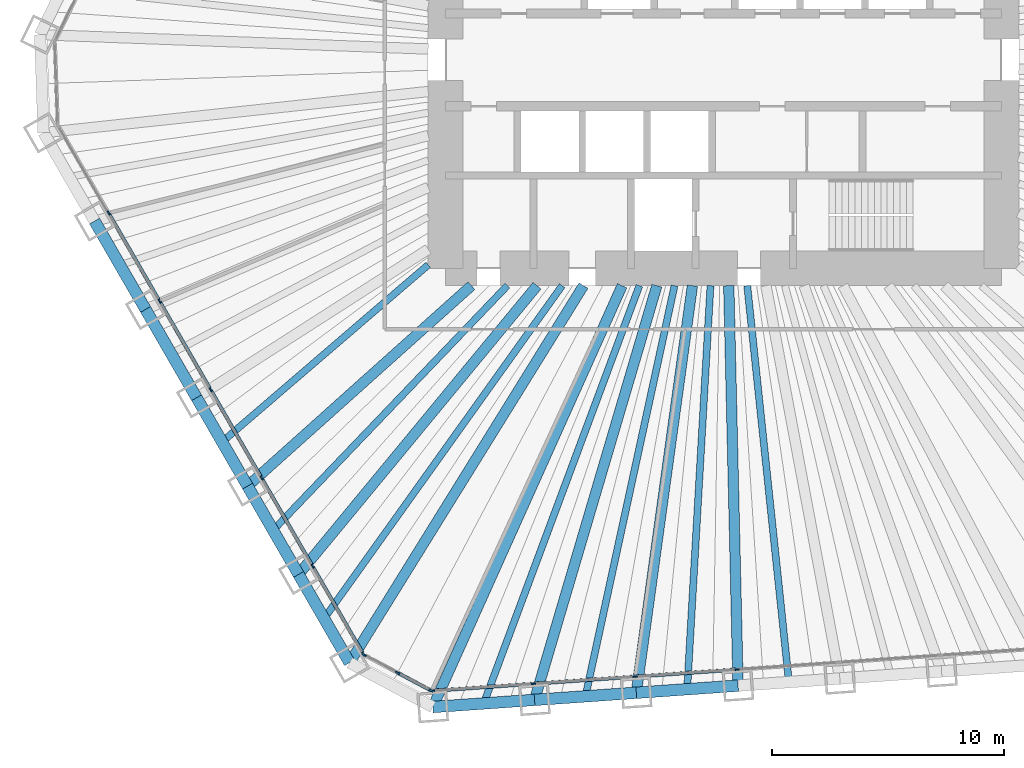
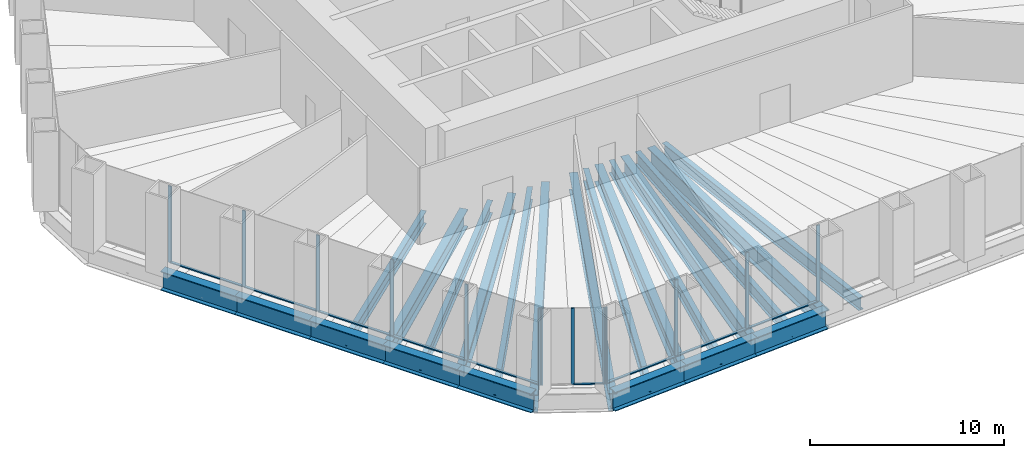
# One storey, part 2 of 13: 22 beams, 22 members, 3 elements without a shape of their own.
"""IFC4 building model written with IfcOpenShell, lengths in metres."""

from ifc_helpers import new_model, si_unit, direction, frame, origin, origin_2d, place, context, subcontext, project, spatial, rectangle, i_section, extrude, material, material_profile, profile_set, type_object, element, aggregate, save


model = new_model("IFC4")

# Units and contexts
model_context = context("Model", 3, precision=1e-05, world=origin(), true_north=direction((0.0, 1.0)))
body_context = subcontext(model_context, "Body", "Model", "MODEL_VIEW")
ifc_project = project(units=[si_unit("LENGTHUNIT", "METRE"), si_unit("AREAUNIT", "SQUARE_METRE"), si_unit("VOLUMEUNIT", "CUBIC_METRE"), si_unit("PLANEANGLEUNIT", "RADIAN"), si_unit("MASSUNIT", "GRAM", prefix="KILO")], contexts=[model_context])

# Site, building, storey
site_placement = place(None, origin())
site = spatial("IfcSite", under=ifc_project, at=site_placement, CompositionType="ELEMENT")
building_placement = place(site_placement, origin())
building = spatial("IfcBuilding", under=site, at=building_placement, Name="Qingtian Harvest Tower", CompositionType="ELEMENT")
storey_placement = place(building_placement, frame((0.0, 0.0, 47.0)))
storey = spatial("IfcBuildingStorey", under=building, at=storey_placement, Name="L09", CompositionType="ELEMENT", Elevation=47.0)

# Beams
ifc_material_1 = material(Name="Steel SM570MC", Category="steel")
ifc_material_profile_1 = material_profile(ifc_material_1, i_section(OverallWidth=0.449951171875, OverallDepth=1.10009765625, WebThickness=0.02197265625, FlangeThickness=0.044921875, at=origin_2d()), Name="H1100x450x22x45")
ifc_profile_set_1 = profile_set([ifc_material_profile_1], Name="Steel SM570MC")
beam_type_1 = type_object("IfcBeamType", Name="Corner floor beam FB8 H1100x450x22x45", PredefinedType="BEAM", material=ifc_profile_set_1)
beam_1_placement = place(storey_placement, frame((-12.552734375, -27.943603515625, -0.75), z_axis=(0.409769605538, 0.912189054077, 0.0), x_axis=(-0.912189054077, 0.409769605538, 0.0)))
element("IfcBeam", 1, at=beam_1_placement, inside=storey, type_object=beam_type_1, Name="Floor beam FB8 S6", PredefinedType="BEAM", context=body_context, shape_type="SweptSolid", body=[
    extrude(i_section(OverallWidth=0.449951171875, OverallDepth=1.10009765625, WebThickness=0.02197265625, FlangeThickness=0.044921875, at=origin_2d()), origin(), (0.0, 0.0, 1.0), 19.945068359375),
])
beam_2_placement = place(storey_placement, frame((-16.14697265625, -26.03271484375, -0.75), z_axis=(0.5270935495, 0.849807266429, 0.0), x_axis=(-0.849807266429, 0.5270935495, 0.0)))
element("IfcBeam", 2, at=beam_2_placement, inside=storey, type_object=beam_type_1, Name="Floor beam FB8 SW0", PredefinedType="BEAM", context=body_context, shape_type="SweptSolid", body=[
    extrude(i_section(OverallWidth=0.449951171875, OverallDepth=1.10009765625, WebThickness=0.02197265625, FlangeThickness=0.044921875, at=origin_2d()), origin(), (0.0, 0.0, 1.0), 19.160400390625),
])
ifc_material_2 = material(Name="Steel SM570MC", Category="steel")
ifc_material_profile_2 = material_profile(ifc_material_2, i_section(OverallWidth=0.449951171875, OverallDepth=1.10009765625, WebThickness=0.02197265625, FlangeThickness=0.044921875, at=origin_2d()), Name="H1100x450x22x45")
ifc_profile_set_2 = profile_set([ifc_material_profile_2], Name="Steel SM570MC")
beam_type_2 = type_object("IfcBeamType", Name="Floor beam FB1 H1100x450x22x45", PredefinedType="BEAM", material=ifc_profile_set_2)
beam_3_placement = place(storey_placement, frame((0.62890625, -27.02197265625, -0.75), z_axis=(-0.023274161941, 0.999729120005, 0.0), x_axis=(-0.999729120005, -0.023274161941, 0.0)))
element("IfcBeam", 3, at=beam_3_placement, inside=storey, type_object=beam_type_2, Name="Floor beam FB1 S3", PredefinedType="BEAM", context=body_context, shape_type="SweptSolid", body=[
    extrude(i_section(OverallWidth=0.449951171875, OverallDepth=1.10009765625, WebThickness=0.02197265625, FlangeThickness=0.044921875, at=origin_2d()), origin(), (0.0, 0.0, 1.0), 17.276611328125),
])
beam_4_placement = place(storey_placement, frame((-3.76513671875, -27.3291015625, -0.75), z_axis=(0.136480966577, 0.990642693287, 0.0), x_axis=(-0.990642693287, 0.136480966577, 0.0)))
element("IfcBeam", 4, at=beam_4_placement, inside=storey, type_object=beam_type_2, Name="Floor beam FB1 S4", PredefinedType="BEAM", context=body_context, shape_type="SweptSolid", body=[
    extrude(i_section(OverallWidth=0.449951171875, OverallDepth=1.10009765625, WebThickness=0.02197265625, FlangeThickness=0.044921875, at=origin_2d()), origin(), (0.0, 0.0, 1.0), 17.7451171875),
])
beam_5_placement = place(storey_placement, frame((-8.158935546875, -27.636474609375, -0.75), z_axis=(0.283142824758, 0.95907775534, 0.0), x_axis=(-0.95907775534, 0.283142824758, 0.0)))
element("IfcBeam", 5, at=beam_5_placement, inside=storey, type_object=beam_type_2, Name="Floor beam FB1 S5", PredefinedType="BEAM", context=body_context, shape_type="SweptSolid", body=[
    extrude(i_section(OverallWidth=0.449951171875, OverallDepth=1.10009765625, WebThickness=0.02197265625, FlangeThickness=0.044921875, at=origin_2d()), origin(), (0.0, 0.0, 1.0), 18.649658203125),
])
beam_6_placement = place(storey_placement, frame((-18.349365234375, -22.21826171875, -0.75), z_axis=(0.636780387972, 0.771045224026, 0.0), x_axis=(-0.771045224026, 0.636780387972, 0.0)))
element("IfcBeam", 6, at=beam_6_placement, inside=storey, type_object=beam_type_2, Name="Floor beam FB1 SW1", PredefinedType="BEAM", context=body_context, shape_type="SweptSolid", body=[
    extrude(i_section(OverallWidth=0.449951171875, OverallDepth=1.10009765625, WebThickness=0.02197265625, FlangeThickness=0.044921875, at=origin_2d()), origin(), (0.0, 0.0, 1.0), 16.170654296875),
])
beam_7_placement = place(storey_placement, frame((-20.551513671875, -18.403564453125, -0.75), z_axis=(0.744965104975, 0.667103434536, 0.0), x_axis=(-0.667103434536, 0.744965104975, 0.0)))
element("IfcBeam", 7, at=beam_7_placement, inside=storey, type_object=beam_type_2, Name="Floor beam FB1 SW2", PredefinedType="BEAM", context=body_context, shape_type="SweptSolid", body=[
    extrude(i_section(OverallWidth=0.449951171875, OverallDepth=1.10009765625, WebThickness=0.02197265625, FlangeThickness=0.044921875, at=origin_2d()), origin(), (0.0, 0.0, 1.0), 12.971923828125),
])
ifc_material_3 = material(Name="Steel SN490B", Category="steel")
ifc_material_profile_3 = material_profile(ifc_material_3, i_section(OverallWidth=0.300048828125, OverallDepth=0.800048828125, WebThickness=0.013916015625, FlangeThickness=0.02587890625, at=origin_2d()), Name="H800x300x14x26")
ifc_profile_set_3 = profile_set([ifc_material_profile_3], Name="Steel SN490B")
beam_type_3 = type_object("IfcBeamType", Name="Floor joist J1 H800x300x14x26", PredefinedType="JOIST", material=ifc_profile_set_3)
beam_8_placement = place(storey_placement, frame((2.82568359375, -26.868408203125, -0.60009765625), z_axis=(-0.104590278152, 0.99451539642, 0.0), x_axis=(-0.99451539642, -0.104590278152, 0.0)))
element("IfcBeam", 8, at=beam_8_placement, inside=storey, type_object=beam_type_3, Name="Floor joist J1 S2", PredefinedType="JOIST", context=body_context, shape_type="SweptSolid", body=[
    extrude(i_section(OverallWidth=0.300048828125, OverallDepth=0.800048828125, WebThickness=0.013916015625, FlangeThickness=0.02587890625, at=origin_2d()), origin(), (0.0, 0.0, 1.0), 17.212890625),
])
beam_9_placement = place(storey_placement, frame((-1.568115234375, -27.175537109375, -0.60009765625), z_axis=(0.057613424947, 0.998338967118, 0.0), x_axis=(-0.998338967118, 0.057613424947, 0.0)))
element("IfcBeam", 9, at=beam_9_placement, inside=storey, type_object=beam_type_3, Name="Floor joist J1 S3", PredefinedType="JOIST", context=body_context, shape_type="SweptSolid", body=[
    extrude(i_section(OverallWidth=0.300048828125, OverallDepth=0.800048828125, WebThickness=0.013916015625, FlangeThickness=0.02587890625, at=origin_2d()), origin(), (0.0, 0.0, 1.0), 17.45458984375),
])
beam_10_placement = place(storey_placement, frame((-5.9619140625, -27.48291015625, -0.60009765625), z_axis=(0.211992805661, 0.977271226604, 0.0), x_axis=(-0.977271226604, 0.211992805661, 0.0)))
element("IfcBeam", 10, at=beam_10_placement, inside=storey, type_object=beam_type_3, Name="Floor joist J1 S4", PredefinedType="JOIST", context=body_context, shape_type="SweptSolid", body=[
    extrude(i_section(OverallWidth=0.300048828125, OverallDepth=0.800048828125, WebThickness=0.013916015625, FlangeThickness=0.02587890625, at=origin_2d()), origin(), (0.0, 0.0, 1.0), 18.145263671875),
])
beam_11_placement = place(storey_placement, frame((-10.35595703125, -27.7900390625, -0.60009765625), z_axis=(0.349193741063, 0.937050548905, 0.0), x_axis=(-0.937050548905, 0.349193741063, 0.0)))
element("IfcBeam", 11, at=beam_11_placement, inside=storey, type_object=beam_type_3, Name="Floor joist J1 S5", PredefinedType="JOIST", context=body_context, shape_type="SweptSolid", body=[
    extrude(i_section(OverallWidth=0.300048828125, OverallDepth=0.800048828125, WebThickness=0.013916015625, FlangeThickness=0.02587890625, at=origin_2d()), origin(), (0.0, 0.0, 1.0), 19.251953125),
])
beam_12_placement = place(storey_placement, frame((-17.248046875, -24.12548828125, -0.60009765625), z_axis=(0.581580544546, 0.81348882611, 0.0), x_axis=(-0.81348882611, 0.581580544546, 0.0)))
element("IfcBeam", 12, at=beam_12_placement, inside=storey, type_object=beam_type_3, Name="Floor joist J1 SW0", PredefinedType="JOIST", context=body_context, shape_type="SweptSolid", body=[
    extrude(i_section(OverallWidth=0.300048828125, OverallDepth=0.800048828125, WebThickness=0.013916015625, FlangeThickness=0.02587890625, at=origin_2d()), origin(), (0.0, 0.0, 1.0), 17.67138671875),
])
beam_13_placement = place(storey_placement, frame((-19.450439453125, -20.31103515625, -0.60009765625), z_axis=(0.691639144398, 0.722243237377, 0.0), x_axis=(-0.722243237377, 0.691639144398, 0.0)))
element("IfcBeam", 13, at=beam_13_placement, inside=storey, type_object=beam_type_3, Name="Floor joist J1 SW1", PredefinedType="JOIST", context=body_context, shape_type="SweptSolid", body=[
    extrude(i_section(OverallWidth=0.300048828125, OverallDepth=0.800048828125, WebThickness=0.013916015625, FlangeThickness=0.02587890625, at=origin_2d()), origin(), (0.0, 0.0, 1.0), 14.62255859375),
])
beam_14_placement = place(storey_placement, frame((-21.652587890625, -16.496337890625, -0.60009765625), z_axis=(0.758605680154, 0.651550014994, 0.0), x_axis=(-0.651550014994, 0.758605680154, 0.0)))
element("IfcBeam", 14, at=beam_14_placement, inside=storey, type_object=beam_type_3, Name="Floor joist J1 SW2", PredefinedType="JOIST", context=body_context, shape_type="SweptSolid", body=[
    extrude(i_section(OverallWidth=0.300048828125, OverallDepth=0.800048828125, WebThickness=0.013916015625, FlangeThickness=0.02587890625, at=origin_2d()), origin(), (0.0, 0.0, 1.0), 11.7353515625),
])

# Curtain wall, members
ifc_material_4 = material(Name="Bronze-anodised aluminium curtain wall", Category="aluminium")
curtain_wall_type = type_object("IfcCurtainWallType", Name="Curtain wall CW2 farm reception", PredefinedType="USERDEFINED", material=ifc_material_4)
curtain_wall_1_placement = place(storey_placement, origin())
curtain_wall_1 = element("IfcCurtainWall", 15, at=curtain_wall_1_placement, inside=storey, type_object=curtain_wall_type, Name="Curtain wall CW2 L09 S0-5", ObjectType="RECESSED CURTAIN WALL", PredefinedType="USERDEFINED")
ifc_material_5 = material(Name="Bronze-anodised aluminium mullion", Category="aluminium")
ifc_material_profile_4 = material_profile(ifc_material_5, rectangle(XDim=0.06494140625, YDim=0.199951171875, at=origin_2d()), Name="AL 65x200")
ifc_profile_set_4 = profile_set([ifc_material_profile_4], Name="Bronze-anodised aluminium mullion")
member_type_1 = type_object("IfcMemberType", Name="Mullion CWM 65x200", PredefinedType="MULLION", material=ifc_profile_set_4)
member_1_placement = place(storey_placement, frame((0.580078125, -26.32373046875, 0.0), z_axis=(0.0, 0.0, 1.0), x_axis=(0.069756473744, -0.99756405026, 0.0)))
member_1 = element("IfcMember", 16, at=member_1_placement, type_object=member_type_1, Name="CW2 mullion 4", PredefinedType="MULLION", context=body_context, shape_type="SweptSolid", body=[
    extrude(rectangle(XDim=0.06494140625, YDim=0.199951171875, at=origin_2d()), origin(), (0.0, 0.0, 1.0), 4.800048828125),
])
member_2_placement = place(storey_placement, frame((-3.81396484375, -26.630859375, 0.0), z_axis=(0.0, 0.0, 1.0), x_axis=(0.069756473744, -0.99756405026, 0.0)))
member_2 = element("IfcMember", 17, at=member_2_placement, type_object=member_type_1, Name="CW2 mullion 5", PredefinedType="MULLION", context=body_context, shape_type="SweptSolid", body=[
    extrude(rectangle(XDim=0.06494140625, YDim=0.199951171875, at=origin_2d()), origin(), (0.0, 0.0, 1.0), 4.800048828125),
])
member_3_placement = place(storey_placement, frame((-8.207763671875, -26.938232421875, 0.0), z_axis=(0.0, 0.0, 1.0), x_axis=(0.069756473744, -0.99756405026, 0.0)))
member_3 = element("IfcMember", 18, at=member_3_placement, type_object=member_type_1, Name="CW2 mullion 6", PredefinedType="MULLION", context=body_context, shape_type="SweptSolid", body=[
    extrude(rectangle(XDim=0.06494140625, YDim=0.199951171875, at=origin_2d()), origin(), (0.0, 0.0, 1.0), 4.800048828125),
])
member_4_placement = place(storey_placement, frame((-12.569091796875, -27.2431640625, 0.0), z_axis=(0.0, 0.0, 1.0), x_axis=(0.069756473744, -0.99756405026, 0.0)))
member_4 = element("IfcMember", 19, at=member_4_placement, type_object=member_type_1, Name="CW2 mullion 7", PredefinedType="MULLION", context=body_context, shape_type="SweptSolid", body=[
    extrude(rectangle(XDim=0.06494140625, YDim=0.199951171875, at=origin_2d()), origin(), (0.0, 0.0, 1.0), 4.800048828125),
])

curtain_wall_2_placement = place(storey_placement, origin())
curtain_wall_2 = element("IfcCurtainWall", 20, at=curtain_wall_2_placement, inside=storey, type_object=curtain_wall_type, Name="Curtain wall CW2 L09 SC", ObjectType="RECESSED CURTAIN WALL", PredefinedType="USERDEFINED")
member_5_placement = place(storey_placement, frame((-12.63037109375, -27.230224609375, 0.0), z_axis=(0.0, 0.0, 1.0), x_axis=(-0.469471562786, -0.882947592859, 0.0)))
member_5 = element("IfcMember", 21, at=member_5_placement, type_object=member_type_1, Name="CW2 mullion 1", PredefinedType="MULLION", context=body_context, shape_type="SweptSolid", body=[
    extrude(rectangle(XDim=0.06494140625, YDim=0.199951171875, at=origin_2d()), origin(), (0.0, 0.0, 1.0), 4.800048828125),
])
member_6_placement = place(storey_placement, frame((-14.0712890625, -26.464111328125, 0.0), z_axis=(0.0, 0.0, 1.0), x_axis=(-0.469471562786, -0.882947592859, 0.0)))
member_6 = element("IfcMember", 22, at=member_6_placement, type_object=member_type_1, Name="CW2 mullion 2", PredefinedType="MULLION", context=body_context, shape_type="SweptSolid", body=[
    extrude(rectangle(XDim=0.06494140625, YDim=0.199951171875, at=origin_2d()), origin(), (0.0, 0.0, 1.0), 4.800048828125),
])
member_7_placement = place(storey_placement, frame((-15.511962890625, -25.697998046875, 0.0), z_axis=(0.0, 0.0, 1.0), x_axis=(-0.469471562786, -0.882947592859, 0.0)))
member_7 = element("IfcMember", 23, at=member_7_placement, type_object=member_type_1, Name="CW2 mullion 3", PredefinedType="MULLION", context=body_context, shape_type="SweptSolid", body=[
    extrude(rectangle(XDim=0.06494140625, YDim=0.199951171875, at=origin_2d()), origin(), (0.0, 0.0, 1.0), 4.800048828125),
])

curtain_wall_3_placement = place(storey_placement, origin())
curtain_wall_3 = element("IfcCurtainWall", 24, at=curtain_wall_3_placement, inside=storey, type_object=curtain_wall_type, Name="Curtain wall CW2 L09 SW0-5", ObjectType="RECESSED CURTAIN WALL", PredefinedType="USERDEFINED")
member_8_placement = place(storey_placement, frame((-15.556884765625, -25.654541015625, 0.0), z_axis=(0.0, 0.0, 1.0), x_axis=(-0.866025403784, -0.5, 0.0)))
member_8 = element("IfcMember", 25, at=member_8_placement, type_object=member_type_1, Name="CW2 mullion 1", PredefinedType="MULLION", context=body_context, shape_type="SweptSolid", body=[
    extrude(rectangle(XDim=0.06494140625, YDim=0.199951171875, at=origin_2d()), origin(), (0.0, 0.0, 1.0), 4.800048828125),
])
member_9_placement = place(storey_placement, frame((-17.742919921875, -21.8681640625, 0.0), z_axis=(0.0, 0.0, 1.0), x_axis=(-0.866025403784, -0.5, 0.0)))
member_9 = element("IfcMember", 26, at=member_9_placement, type_object=member_type_1, Name="CW2 mullion 2", PredefinedType="MULLION", context=body_context, shape_type="SweptSolid", body=[
    extrude(rectangle(XDim=0.06494140625, YDim=0.199951171875, at=origin_2d()), origin(), (0.0, 0.0, 1.0), 4.800048828125),
])
member_10_placement = place(storey_placement, frame((-19.9453125, -18.0537109375, 0.0), z_axis=(0.0, 0.0, 1.0), x_axis=(-0.866025403784, -0.5, 0.0)))
member_10 = element("IfcMember", 27, at=member_10_placement, type_object=member_type_1, Name="CW2 mullion 3", PredefinedType="MULLION", context=body_context, shape_type="SweptSolid", body=[
    extrude(rectangle(XDim=0.06494140625, YDim=0.199951171875, at=origin_2d()), origin(), (0.0, 0.0, 1.0), 4.800048828125),
])
member_11_placement = place(storey_placement, frame((-22.147705078125, -14.2392578125, 0.0), z_axis=(0.0, 0.0, 1.0), x_axis=(-0.866025403784, -0.5, 0.0)))
member_11 = element("IfcMember", 28, at=member_11_placement, type_object=member_type_1, Name="CW2 mullion 4", PredefinedType="MULLION", context=body_context, shape_type="SweptSolid", body=[
    extrude(rectangle(XDim=0.06494140625, YDim=0.199951171875, at=origin_2d()), origin(), (0.0, 0.0, 1.0), 4.800048828125),
])
member_12_placement = place(storey_placement, frame((-24.349853515625, -10.424560546875, 0.0), z_axis=(0.0, 0.0, 1.0), x_axis=(-0.866025403784, -0.5, 0.0)))
member_12 = element("IfcMember", 29, at=member_12_placement, type_object=member_type_1, Name="CW2 mullion 5", PredefinedType="MULLION", context=body_context, shape_type="SweptSolid", body=[
    extrude(rectangle(XDim=0.06494140625, YDim=0.199951171875, at=origin_2d()), origin(), (0.0, 0.0, 1.0), 4.800048828125),
])
member_13_placement = place(storey_placement, frame((-26.55224609375, -6.610107421875, 0.0), z_axis=(0.0, 0.0, 1.0), x_axis=(-0.866025403784, -0.5, 0.0)))
member_13 = element("IfcMember", 30, at=member_13_placement, type_object=member_type_1, Name="CW2 mullion 6", PredefinedType="MULLION", context=body_context, shape_type="SweptSolid", body=[
    extrude(rectangle(XDim=0.06494140625, YDim=0.199951171875, at=origin_2d()), origin(), (0.0, 0.0, 1.0), 4.800048828125),
])

# Beams
ifc_material_6 = material(Name="Steel SM570MC", Category="steel")
ifc_material_profile_5 = material_profile(ifc_material_6, i_section(OverallWidth=0.5, OverallDepth=1.199951171875, WebThickness=0.02490234375, FlangeThickness=0.050048828125, at=origin_2d()), Name="H1200x500x25x50")
ifc_profile_set_5 = profile_set([ifc_material_profile_5], Name="Steel SM570MC")
beam_type_4 = type_object("IfcBeamType", Name="Spandrel beam SB1 H1200x500x25x50", PredefinedType="SPANDREL", material=ifc_profile_set_5)
beam_15_placement = place(storey_placement, frame((0.62890625, -27.02197265625, -0.60009765625), z_axis=(-0.997566143208, -0.069726536735, 0.0), x_axis=(0.069726536735, -0.997566143208, 0.0)))
element("IfcBeam", 31, at=beam_15_placement, inside=storey, type_object=beam_type_4, Name="Spandrel SB1 S3", PredefinedType="SPANDREL", context=body_context, shape_type="SweptSolid", body=[
    extrude(i_section(OverallWidth=0.5, OverallDepth=1.199951171875, WebThickness=0.02490234375, FlangeThickness=0.050048828125, at=origin_2d()), origin(), (0.0, 0.0, 1.0), 4.40478515625),
])
for number, where, z_axis, x_axis, name in (
    (32, (-3.76513671875, -27.3291015625, -0.60009765625), (-0.997562016486, -0.069785551967, 0.0), (0.069785551967, -0.997562016486, 0.0), "Spandrel SB1 S4"),
    (33, (-8.158935546875, -27.636474609375, -0.60009765625), (-0.997565873714, -0.069730392239, 0.0), (0.069730392239, -0.997565873714, 0.0), "Spandrel SB1 S5"),
    (34, (-16.14697265625, -26.03271484375, -0.60009765625), (-0.50001992892, 0.866013897511, 0.0), (-0.866013897511, -0.50001992892, 0.0), "Spandrel SB1 SW0"),
):
    element("IfcBeam", number, at=place(storey_placement, frame(where, z_axis=z_axis, x_axis=x_axis)), inside=storey, type_object=beam_type_4, Name=name, PredefinedType="SPANDREL", context=body_context, shape_type="SweptSolid", body=[
        extrude(i_section(OverallWidth=0.5, OverallDepth=1.199951171875, WebThickness=0.02490234375, FlangeThickness=0.050048828125, at=origin_2d()), origin(), (0.0, 0.0, 1.0), 4.404541015625),
    ])
beam_16_placement = place(storey_placement, frame((-18.349365234375, -22.21826171875, -0.60009765625), z_axis=(-0.499954356739, 0.86605175433, 0.0), x_axis=(-0.86605175433, -0.499954356739, 0.0)))
element("IfcBeam", 35, at=beam_16_placement, inside=storey, type_object=beam_type_4, Name="Spandrel SB1 SW1", PredefinedType="SPANDREL", context=body_context, shape_type="SweptSolid", body=[
    extrude(i_section(OverallWidth=0.5, OverallDepth=1.199951171875, WebThickness=0.02490234375, FlangeThickness=0.050048828125, at=origin_2d()), origin(), (0.0, 0.0, 1.0), 4.40478515625),
])
for number, where, z_axis, x_axis, name in (
    (36, (-20.551513671875, -18.403564453125, -0.60009765625), (-0.50001992892, 0.866013897511, 0.0), (-0.866013897511, -0.50001992892, 0.0), "Spandrel SB1 SW2"),
    (37, (-22.75390625, -14.589111328125, -0.60009765625), (-0.499978356969, 0.866037899034, 0.0), (-0.866037899034, -0.499978356969, 0.0), "Spandrel SB1 SW3"),
    (38, (-24.9560546875, -10.774658203125, -0.60009765625), (-0.50001992892, 0.866013897511, 0.0), (-0.866013897511, -0.50001992892, 0.0), "Spandrel SB1 SW4"),
):
    element("IfcBeam", number, at=place(storey_placement, frame(where, z_axis=z_axis, x_axis=x_axis)), inside=storey, type_object=beam_type_4, Name=name, PredefinedType="SPANDREL", context=body_context, shape_type="SweptSolid", body=[
        extrude(i_section(OverallWidth=0.5, OverallDepth=1.199951171875, WebThickness=0.02490234375, FlangeThickness=0.050048828125, at=origin_2d()), origin(), (0.0, 0.0, 1.0), 4.404541015625),
    ])

# Member
ifc_material_7 = material(Name="Bronze-anodised aluminium transom", Category="aluminium")
ifc_material_profile_6 = material_profile(ifc_material_7, rectangle(XDim=0.14990234375, YDim=0.06494140625, at=origin_2d()), Name="AL 65x150")
ifc_profile_set_6 = profile_set([ifc_material_profile_6], Name="Bronze-anodised aluminium transom")
member_type_2 = type_object("IfcMemberType", Name="Transom CWT 65x150", PredefinedType="USERDEFINED", material=ifc_profile_set_6)
member_14_placement = place(storey_placement, frame((0.547607421875, -26.325927734375, 0.032470703125), z_axis=(-0.997563824095, -0.069759707979, 0.0), x_axis=(0.069759707979, -0.997563824095, 0.0)))
member_14 = element("IfcMember", 39, at=member_14_placement, type_object=member_type_2, Name="CW2 transom 4.1", ObjectType="TRANSOM", PredefinedType="USERDEFINED", context=body_context, shape_type="SweptSolid", body=[
    extrude(rectangle(XDim=0.14990234375, YDim=0.06494140625, at=origin_2d()), origin(), (0.0, 0.0, 1.0), 4.339599609375),
])

member_15_placement = place(storey_placement, frame((-3.84619140625, -26.63330078125, 0.032470703125), z_axis=(-0.997567737508, -0.069703723594, 0.0), x_axis=(0.069703723594, -0.997567737508, 0.0)))
member_15 = element("IfcMember", 40, at=member_15_placement, type_object=member_type_2, Name="CW2 transom 5.1", ObjectType="TRANSOM", PredefinedType="USERDEFINED", context=body_context, shape_type="SweptSolid", body=[
    extrude(rectangle(XDim=0.14990234375, YDim=0.06494140625, at=origin_2d()), origin(), (0.0, 0.0, 1.0), 4.339599609375),
])

member_16_placement = place(storey_placement, frame((-8.240234375, -26.9404296875, 0.032470703125), z_axis=(-0.997562637827, -0.069776669536, 0.0), x_axis=(0.069776669536, -0.997562637827, 0.0)))
member_16 = element("IfcMember", 41, at=member_16_placement, type_object=member_type_2, Name="CW2 transom 6.1", ObjectType="TRANSOM", PredefinedType="USERDEFINED", context=body_context, shape_type="SweptSolid", body=[
    extrude(rectangle(XDim=0.14990234375, YDim=0.06494140625, at=origin_2d()), origin(), (0.0, 0.0, 1.0), 4.30712890625),
])

aggregate(curtain_wall_1, [member_1, member_2, member_3, member_4, member_14, member_15, member_16])

member_17_placement = place(storey_placement, frame((-12.658935546875, -27.21484375, 0.032470703125), z_axis=(-0.882960338349, 0.46944759122, 0.0), x_axis=(-0.46944759122, -0.882960338349, 0.0)))
member_17 = element("IfcMember", 42, at=member_17_placement, type_object=member_type_2, Name="CW2 transom 1.1", ObjectType="TRANSOM", PredefinedType="USERDEFINED", context=body_context, shape_type="SweptSolid", body=[
    extrude(rectangle(XDim=0.14990234375, YDim=0.06494140625, at=origin_2d()), origin(), (0.0, 0.0, 1.0), 1.56689453125),
])

aggregate(curtain_wall_2, [member_5, member_6, member_7, member_17])

member_18_placement = place(storey_placement, frame((-15.5732421875, -25.62646484375, 0.032470703125), z_axis=(-0.499985768833, 0.866033619997, 0.0), x_axis=(-0.866033619997, -0.499985768833, 0.0)))
member_18 = element("IfcMember", 43, at=member_18_placement, type_object=member_type_2, Name="CW2 transom 1.1", ObjectType="TRANSOM", PredefinedType="USERDEFINED", context=body_context, shape_type="SweptSolid", body=[
    extrude(rectangle(XDim=0.14990234375, YDim=0.06494140625, at=origin_2d()), origin(), (0.0, 0.0, 1.0), 4.307373046875),
])

member_19_placement = place(storey_placement, frame((-17.75927734375, -21.840087890625, 0.032470703125), z_axis=(-0.500011390128, 0.866018827591, 0.0), x_axis=(-0.866018827591, -0.500011390128, 0.0)))
member_19 = element("IfcMember", 44, at=member_19_placement, type_object=member_type_2, Name="CW2 transom 2.1", ObjectType="TRANSOM", PredefinedType="USERDEFINED", context=body_context, shape_type="SweptSolid", body=[
    extrude(rectangle(XDim=0.14990234375, YDim=0.06494140625, at=origin_2d()), origin(), (0.0, 0.0, 1.0), 4.33984375),
])

member_20_placement = place(storey_placement, frame((-19.961669921875, -18.025634765625, 0.032470703125), z_axis=(-0.499969196308, 0.866043187574, 0.0), x_axis=(-0.866043187574, -0.499969196308, 0.0)))
member_20 = element("IfcMember", 45, at=member_20_placement, type_object=member_type_2, Name="CW2 transom 3.1", ObjectType="TRANSOM", PredefinedType="USERDEFINED", context=body_context, shape_type="SweptSolid", body=[
    extrude(rectangle(XDim=0.14990234375, YDim=0.06494140625, at=origin_2d()), origin(), (0.0, 0.0, 1.0), 4.339599609375),
])

member_21_placement = place(storey_placement, frame((-22.163818359375, -14.2109375, 0.032470703125), z_axis=(-0.500035751442, 0.866004761696, 0.0), x_axis=(-0.866004761696, -0.500035751442, 0.0)))
member_21 = element("IfcMember", 46, at=member_21_placement, type_object=member_type_2, Name="CW2 transom 4.1", ObjectType="TRANSOM", PredefinedType="USERDEFINED", context=body_context, shape_type="SweptSolid", body=[
    extrude(rectangle(XDim=0.14990234375, YDim=0.06494140625, at=origin_2d()), origin(), (0.0, 0.0, 1.0), 4.339599609375),
])

member_22_placement = place(storey_placement, frame((-24.3662109375, -10.396484375, 0.032470703125), z_axis=(-0.499993556937, 0.866029123656, 0.0), x_axis=(-0.866029123656, -0.499993556937, 0.0)))
member_22 = element("IfcMember", 47, at=member_22_placement, type_object=member_type_2, Name="CW2 transom 5.1", ObjectType="TRANSOM", PredefinedType="USERDEFINED", context=body_context, shape_type="SweptSolid", body=[
    extrude(rectangle(XDim=0.14990234375, YDim=0.06494140625, at=origin_2d()), origin(), (0.0, 0.0, 1.0), 4.33935546875),
])

aggregate(curtain_wall_3, [member_8, member_9, member_10, member_11, member_12, member_13, member_18, member_19, member_20, member_21, member_22])

save(model, "model.ifc")
